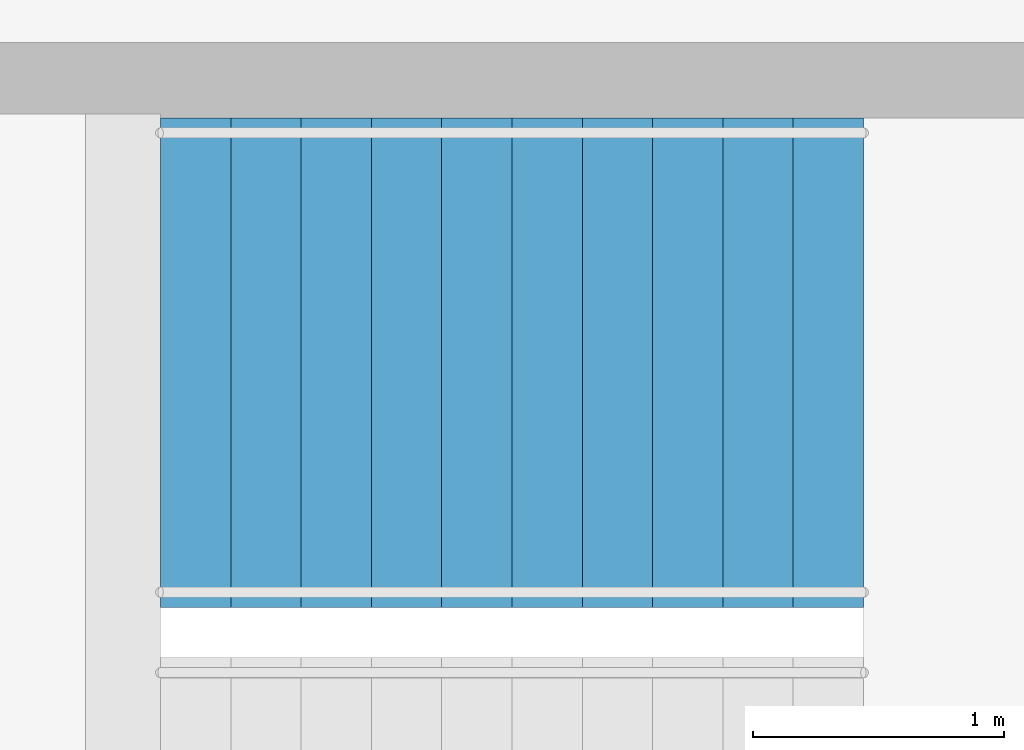
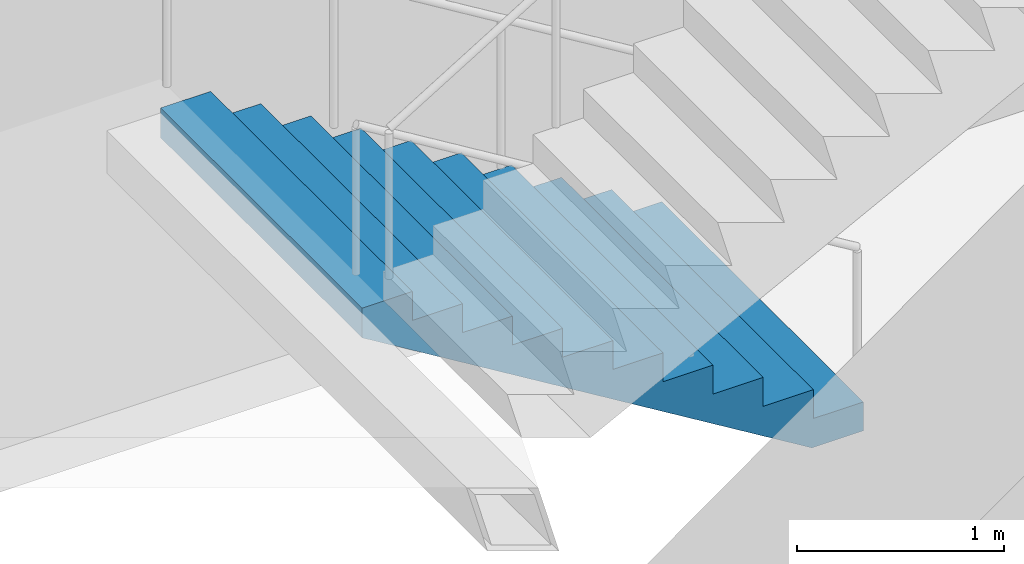
# One storey, part 22 of 23: 1 stair flight, 1 element without a shape of its own.
"""IFC4 building model written with IfcOpenShell, lengths in metres."""

from ifc_helpers import new_model, si_unit, direction, frame, origin, place, context, subcontext, project, spatial, triangles, material, type_object, element, aggregate, save


model = new_model("IFC4")

# Units and contexts
model_context = context("Model", 3, precision=1e-05, world=origin(), true_north=direction((0.0, 1.0)))
body_context = subcontext(model_context, "Body", "Model", "MODEL_VIEW")
ifc_project = project(units=[si_unit("LENGTHUNIT", "METRE"), si_unit("AREAUNIT", "SQUARE_METRE"), si_unit("VOLUMEUNIT", "CUBIC_METRE"), si_unit("PLANEANGLEUNIT", "RADIAN"), si_unit("MASSUNIT", "GRAM", prefix="KILO")], contexts=[model_context])

# Site, building, storey
site_placement = place(None, origin())
site = spatial("IfcSite", under=ifc_project, at=site_placement, CompositionType="ELEMENT")
building_placement = place(site_placement, origin())
building = spatial("IfcBuilding", under=site, at=building_placement, Name="Orbita Commons", CompositionType="ELEMENT")
storey_placement = place(building_placement, frame((0.0, 0.0, 212.800048828125)))
storey = spatial("IfcBuildingStorey", under=building, at=storey_placement, Name="L52", CompositionType="ELEMENT", Elevation=212.800048828125)

# Stair, stair flight
ifc_material_1 = material(Name="Precast concrete C40/50", Category="concrete")
stair_type = type_object("IfcStairType", Name="Exit stair S2 2 flights 11 risers 170", PredefinedType="HALF_TURN_STAIR", material=ifc_material_1)
stair_placement = place(storey_placement, origin())
stair = element("IfcStair", 1, at=stair_placement, inside=storey, type_object=stair_type, Name="Exit stair S2 L52", PredefinedType="HALF_TURN_STAIR")
ifc_material_2 = material(Name="Precast concrete C40/50", Category="concrete")
stair_flight_type = type_object("IfcStairFlightType", Name="Stair flight 11 risers 170 x 280", PredefinedType="STRAIGHT", material=ifc_material_2)
stair_flight_placement = place(storey_placement, frame((63.550048828125, 29.27490234375, 0.0), z_axis=(0.0, 0.0, 1.0), x_axis=(-1.0, 0.0, 0.0)))
stair_flight = element("IfcStairFlight", 2, at=stair_flight_placement, type_object=stair_flight_type, Name="S2 flight 1", NumberOfRisers=11, NumberOfTreads=10, PredefinedType="STRAIGHT", RiserHeight=0.170454545, TreadLength=0.28, context=body_context, shape_type="Tessellation", body=[
    triangles([(0.0, 0.974976, 0.0), (0.0, 0.974976, 0.021307), (0.0, 0.81248, 0.021307), (0.0, 0.81248, 0.0), (0.0, 0.649984, 0.021307), (0.0, 0.649984, 0.0), (0.0, 0.487488, 0.021307), (0.0, 0.487488, 0.0), (0.0, 0.324992, 0.021307), (0.0, 0.324992, 0.0), (0.0, 0.162496, 0.021307), (0.0, 0.162496, 0.0), (0.0, 0.0, 0.021307), (0.0, 0.0, 0.0), (0.0, -0.162496, 0.021307), (0.0, -0.162496, 0.0), (0.0, -0.324992, 0.021307), (0.0, -0.324992, 0.0), (0.0, -0.487488, 0.021307), (0.0, -0.487488, 0.0), (0.0, -0.649984, 0.021307), (0.0, -0.649984, 0.0), (0.0, -0.81248, 0.021307), (0.0, -0.81248, 0.0), (0.0, -0.974976, 0.021307), (0.0, -0.974976, 0.0), (0.0, 0.974976, 0.042614), (0.0, 0.81248, 0.042614), (0.0, 0.649984, 0.042614), (0.0, 0.487488, 0.042614), (0.0, 0.324992, 0.042614), (0.0, 0.162496, 0.042614), (0.0, 0.0, 0.042614), (0.0, -0.162496, 0.042614), (0.0, -0.324992, 0.042614), (0.0, -0.487488, 0.042614), (0.0, -0.649984, 0.042614), (0.0, -0.81248, 0.042614), (0.0, -0.974976, 0.042614), (0.0, 0.974976, 0.06392), (0.0, 0.81248, 0.06392), (0.0, 0.649984, 0.06392), (0.0, 0.487488, 0.06392), (0.0, 0.324992, 0.06392), (0.0, 0.162496, 0.06392), (0.0, 0.0, 0.06392), (0.0, -0.162496, 0.06392), (0.0, -0.324992, 0.06392), (0.0, -0.487488, 0.06392), (0.0, -0.649984, 0.06392), (0.0, -0.81248, 0.06392), (0.0, -0.974976, 0.06392), (0.0, 0.974976, 0.085227), (0.0, 0.81248, 0.085227), (0.0, 0.649984, 0.085227), (0.0, 0.487488, 0.085227), (0.0, 0.324992, 0.085227), (0.0, 0.162496, 0.085227), (0.0, 0.0, 0.085227), (0.0, -0.162496, 0.085227), (0.0, -0.324992, 0.085227), (0.0, -0.487488, 0.085227), (0.0, -0.649984, 0.085227), (0.0, -0.81248, 0.085227), (0.0, -0.974976, 0.085227), (0.0, 0.974976, 0.106534), (0.0, 0.81248, 0.106534), (0.0, 0.649984, 0.106534), (0.0, 0.487488, 0.106534), (0.0, 0.324992, 0.106534), (0.0, 0.162496, 0.106534), (0.0, 0.0, 0.106534), (0.0, -0.162496, 0.106534), (0.0, -0.324992, 0.106534), (0.0, -0.487488, 0.106534), (0.0, -0.649984, 0.106534), (0.0, -0.81248, 0.106534), (0.0, -0.974976, 0.106534), (0.0, 0.974976, 0.127841), (0.0, 0.81248, 0.127841), (0.0, 0.649984, 0.127841), (0.0, 0.487488, 0.127841), (0.0, 0.324992, 0.127841), (0.0, 0.162496, 0.127841), (0.0, 0.0, 0.127841), (0.0, -0.162496, 0.127841), (0.0, -0.324992, 0.127841), (0.0, -0.487488, 0.127841), (0.0, -0.649984, 0.127841), (0.0, -0.81248, 0.127841), (0.0, -0.974976, 0.127841), (0.0, 0.974976, 0.149148), (0.0, 0.81248, 0.149148), (0.0, 0.649984, 0.149148), (0.0, 0.487488, 0.149148), (0.0, 0.324992, 0.149148), (0.0, 0.162496, 0.149148), (0.0, 0.0, 0.149148), (0.0, -0.162496, 0.149148), (0.0, -0.324992, 0.149148), (0.0, -0.487488, 0.149148), (0.0, -0.649984, 0.149148), (0.0, -0.81248, 0.149148), (0.0, -0.974976, 0.149148), (0.0, 0.974976, 0.170455), (0.0, 0.81248, 0.170455), (0.0, 0.649984, 0.170455), (0.0, 0.487488, 0.170455), (0.0, 0.324992, 0.170455), (0.0, 0.162496, 0.170455), (0.0, 0.0, 0.170455), (0.0, -0.162496, 0.170455), (0.0, -0.324992, 0.170455), (0.0, -0.487488, 0.170455), (0.0, -0.649984, 0.170455), (0.0, -0.81248, 0.170455), (0.0, -0.974976, 0.170455), (0.28, 0.974976, 0.170455), (0.28, 0.81248, 0.170455), (0.28, 0.649984, 0.170455), (0.28, 0.487488, 0.170455), (0.28, 0.324992, 0.170455), (0.28, 0.162496, 0.170455), (0.28, 0.0, 0.170455), (0.28, -0.162496, 0.170455), (0.28, -0.324992, 0.170455), (0.28, -0.487488, 0.170455), (0.28, -0.649984, 0.170455), (0.28, -0.81248, 0.170455), (0.28, -0.974976, 0.170455), (0.28, 0.974976, 0.340909), (0.28, 0.81248, 0.340909), (0.28, 0.649984, 0.340909), (0.28, 0.487488, 0.340909), (0.28, 0.324992, 0.340909), (0.28, 0.162496, 0.340909), (0.28, 0.0, 0.340909), (0.28, -0.162496, 0.340909), (0.28, -0.324992, 0.340909), (0.28, -0.487488, 0.340909), (0.28, -0.649984, 0.340909), (0.28, -0.81248, 0.340909), (0.28, -0.974976, 0.340909), (0.56, 0.974976, 0.340909), (0.56, 0.81248, 0.340909), (0.56, 0.649984, 0.340909), (0.56, 0.487488, 0.340909), (0.56, 0.324992, 0.340909), (0.56, 0.162496, 0.340909), (0.56, 0.0, 0.340909), (0.56, -0.162496, 0.340909), (0.56, -0.324992, 0.340909), (0.56, -0.487488, 0.340909), (0.56, -0.649984, 0.340909), (0.56, -0.81248, 0.340909), (0.56, -0.974976, 0.340909), (0.56, 0.974976, 0.511364), (0.56, 0.81248, 0.511364), (0.56, 0.649984, 0.511364), (0.56, 0.487488, 0.511364), (0.56, 0.324992, 0.511364), (0.56, 0.162496, 0.511364), (0.56, 0.0, 0.511364), (0.56, -0.162496, 0.511364), (0.56, -0.324992, 0.511364), (0.56, -0.487488, 0.511364), (0.56, -0.649984, 0.511364), (0.56, -0.81248, 0.511364), (0.56, -0.974976, 0.511364), (0.84, 0.974976, 0.511364), (0.84, 0.81248, 0.511364), (0.84, 0.649984, 0.511364), (0.84, 0.487488, 0.511364), (0.84, 0.324992, 0.511364), (0.84, 0.162496, 0.511364), (0.84, 0.0, 0.511364), (0.84, -0.162496, 0.511364), (0.84, -0.324992, 0.511364), (0.84, -0.487488, 0.511364), (0.84, -0.649984, 0.511364), (0.84, -0.81248, 0.511364), (0.84, -0.974976, 0.511364), (0.84, 0.974976, 0.681818), (0.84, 0.81248, 0.681818), (0.84, 0.649984, 0.681818), (0.84, 0.487488, 0.681818), (0.84, 0.324992, 0.681818), (0.84, 0.162496, 0.681818), (0.84, 0.0, 0.681818), (0.84, -0.162496, 0.681818), (0.84, -0.324992, 0.681818), (0.84, -0.487488, 0.681818), (0.84, -0.649984, 0.681818), (0.84, -0.81248, 0.681818), (0.84, -0.974976, 0.681818), (1.12, 0.974976, 0.681818), (1.12, 0.81248, 0.681818), (1.12, 0.649984, 0.681818), (1.12, 0.487488, 0.681818), (1.12, 0.324992, 0.681818), (1.12, 0.162496, 0.681818), (1.12, 0.0, 0.681818), (1.12, -0.162496, 0.681818), (1.12, -0.324992, 0.681818), (1.12, -0.487488, 0.681818), (1.12, -0.649984, 0.681818), (1.12, -0.81248, 0.681818), (1.12, -0.974976, 0.681818), (1.12, 0.974976, 0.852273), (1.12, 0.81248, 0.852273), (1.12, 0.649984, 0.852273), (1.12, 0.487488, 0.852273), (1.12, 0.324992, 0.852273), (1.12, 0.162496, 0.852273), (1.12, 0.0, 0.852273), (1.12, -0.162496, 0.852273), (1.12, -0.324992, 0.852273), (1.12, -0.487488, 0.852273), (1.12, -0.649984, 0.852273), (1.12, -0.81248, 0.852273), (1.12, -0.974976, 0.852273), (1.4, 0.974976, 0.852273), (1.4, 0.81248, 0.852273), (1.4, 0.649984, 0.852273), (1.4, 0.487488, 0.852273), (1.4, 0.324992, 0.852273), (1.4, 0.162496, 0.852273), (1.4, 0.0, 0.852273), (1.4, -0.162496, 0.852273), (1.4, -0.324992, 0.852273), (1.4, -0.487488, 0.852273), (1.4, -0.649984, 0.852273), (1.4, -0.81248, 0.852273), (1.4, -0.974976, 0.852273), (1.4, 0.974976, 1.022727), (1.4, 0.81248, 1.022727), (1.4, 0.649984, 1.022727), (1.4, 0.487488, 1.022727), (1.4, 0.324992, 1.022727), (1.4, 0.162496, 1.022727), (1.4, 0.0, 1.022727), (1.4, -0.162496, 1.022727), (1.4, -0.324992, 1.022727), (1.4, -0.487488, 1.022727), (1.4, -0.649984, 1.022727), (1.4, -0.81248, 1.022727), (1.4, -0.974976, 1.022727), (1.68, 0.974976, 1.022727), (1.68, 0.81248, 1.022727), (1.68, 0.649984, 1.022727), (1.68, 0.487488, 1.022727), (1.68, 0.324992, 1.022727), (1.68, 0.162496, 1.022727), (1.68, 0.0, 1.022727), (1.68, -0.162496, 1.022727), (1.68, -0.324992, 1.022727), (1.68, -0.487488, 1.022727), (1.68, -0.649984, 1.022727), (1.68, -0.81248, 1.022727), (1.68, -0.974976, 1.022727), (1.68, 0.974976, 1.193182), (1.68, 0.81248, 1.193182), (1.68, 0.649984, 1.193182), (1.68, 0.487488, 1.193182), (1.68, 0.324992, 1.193182), (1.68, 0.162496, 1.193182), (1.68, 0.0, 1.193182), (1.68, -0.162496, 1.193182), (1.68, -0.324992, 1.193182), (1.68, -0.487488, 1.193182), (1.68, -0.649984, 1.193182), (1.68, -0.81248, 1.193182), (1.68, -0.974976, 1.193182), (1.96, 0.974976, 1.193182), (1.96, 0.81248, 1.193182), (1.96, 0.649984, 1.193182), (1.96, 0.487488, 1.193182), (1.96, 0.324992, 1.193182), (1.96, 0.162496, 1.193182), (1.96, 0.0, 1.193182), (1.96, -0.162496, 1.193182), (1.96, -0.324992, 1.193182), (1.96, -0.487488, 1.193182), (1.96, -0.649984, 1.193182), (1.96, -0.81248, 1.193182), (1.96, -0.974976, 1.193182), (1.96, 0.974976, 1.363636), (1.96, 0.81248, 1.363636), (1.96, 0.649984, 1.363636), (1.96, 0.487488, 1.363636), (1.96, 0.324992, 1.363636), (1.96, 0.162496, 1.363636), (1.96, 0.0, 1.363636), (1.96, -0.162496, 1.363636), (1.96, -0.324992, 1.363636), (1.96, -0.487488, 1.363636), (1.96, -0.649984, 1.363636), (1.96, -0.81248, 1.363636), (1.96, -0.974976, 1.363636), (2.24, 0.974976, 1.363636), (2.24, 0.81248, 1.363636), (2.24, 0.649984, 1.363636), (2.24, 0.487488, 1.363636), (2.24, 0.324992, 1.363636), (2.24, 0.162496, 1.363636), (2.24, 0.0, 1.363636), (2.24, -0.162496, 1.363636), (2.24, -0.324992, 1.363636), (2.24, -0.487488, 1.363636), (2.24, -0.649984, 1.363636), (2.24, -0.81248, 1.363636), (2.24, -0.974976, 1.363636), (2.24, 0.974976, 1.534091), (2.24, 0.81248, 1.534091), (2.24, 0.649984, 1.534091), (2.24, 0.487488, 1.534091), (2.24, 0.324992, 1.534091), (2.24, 0.162496, 1.534091), (2.24, 0.0, 1.534091), (2.24, -0.162496, 1.534091), (2.24, -0.324992, 1.534091), (2.24, -0.487488, 1.534091), (2.24, -0.649984, 1.534091), (2.24, -0.81248, 1.534091), (2.24, -0.974976, 1.534091), (2.52, 0.974976, 1.534091), (2.52, 0.81248, 1.534091), (2.52, 0.649984, 1.534091), (2.52, 0.487488, 1.534091), (2.52, 0.324992, 1.534091), (2.52, 0.162496, 1.534091), (2.52, 0.0, 1.534091), (2.52, -0.162496, 1.534091), (2.52, -0.324992, 1.534091), (2.52, -0.487488, 1.534091), (2.52, -0.649984, 1.534091), (2.52, -0.81248, 1.534091), (2.52, -0.974976, 1.534091), (2.52, 0.974976, 1.704545), (2.52, 0.81248, 1.704545), (2.52, 0.649984, 1.704545), (2.52, 0.487488, 1.704545), (2.52, 0.324992, 1.704545), (2.52, 0.162496, 1.704545), (2.52, 0.0, 1.704545), (2.52, -0.162496, 1.704545), (2.52, -0.324992, 1.704545), (2.52, -0.487488, 1.704545), (2.52, -0.649984, 1.704545), (2.52, -0.81248, 1.704545), (2.52, -0.974976, 1.704545), (2.8, 0.974976, 1.704545), (2.8, 0.81248, 1.704545), (2.8, 0.649984, 1.704545), (2.8, 0.487488, 1.704545), (2.8, 0.324992, 1.704545), (2.8, 0.162496, 1.704545), (2.8, 0.0, 1.704545), (2.8, -0.162496, 1.704545), (2.8, -0.324992, 1.704545), (2.8, -0.487488, 1.704545), (2.8, -0.649984, 1.704545), (2.8, -0.81248, 1.704545), (2.8, -0.974976, 1.704545), (2.8, 0.974976, 1.682609), (2.8, 0.81248, 1.682609), (2.8, 0.649984, 1.682609), (2.8, 0.487488, 1.682609), (2.8, 0.324992, 1.682609), (2.8, 0.162496, 1.682609), (2.8, 0.0, 1.682609), (2.8, -0.162496, 1.682609), (2.8, -0.324992, 1.682609), (2.8, -0.487488, 1.682609), (2.8, -0.649984, 1.682609), (2.8, -0.81248, 1.682609), (2.8, -0.974976, 1.682609), (2.8, 0.974976, 1.660672), (2.8, 0.81248, 1.660672), (2.8, 0.649984, 1.660672), (2.8, 0.487488, 1.660672), (2.8, 0.324992, 1.660672), (2.8, 0.162496, 1.660672), (2.8, 0.0, 1.660672), (2.8, -0.162496, 1.660672), (2.8, -0.324992, 1.660672), (2.8, -0.487488, 1.660672), (2.8, -0.649984, 1.660672), (2.8, -0.81248, 1.660672), (2.8, -0.974976, 1.660672), (2.8, 0.974976, 1.638735), (2.8, 0.81248, 1.638735), (2.8, 0.649984, 1.638735), (2.8, 0.487488, 1.638735), (2.8, 0.324992, 1.638735), (2.8, 0.162496, 1.638735), (2.8, 0.0, 1.638735), (2.8, -0.162496, 1.638735), (2.8, -0.324992, 1.638735), (2.8, -0.487488, 1.638735), (2.8, -0.649984, 1.638735), (2.8, -0.81248, 1.638735), (2.8, -0.974976, 1.638735), (2.8, 0.974976, 1.616798), (2.8, 0.81248, 1.616798), (2.8, 0.649984, 1.616798), (2.8, 0.487488, 1.616798), (2.8, 0.324992, 1.616798), (2.8, 0.162496, 1.616798), (2.8, 0.0, 1.616798), (2.8, -0.162496, 1.616798), (2.8, -0.324992, 1.616798), (2.8, -0.487488, 1.616798), (2.8, -0.649984, 1.616798), (2.8, -0.81248, 1.616798), (2.8, -0.974976, 1.616798), (2.8, 0.974976, 1.594861), (2.8, 0.81248, 1.594861), (2.8, 0.649984, 1.594861), (2.8, 0.487488, 1.594861), (2.8, 0.324992, 1.594861), (2.8, 0.162496, 1.594861), (2.8, 0.0, 1.594861), (2.8, -0.162496, 1.594861), (2.8, -0.324992, 1.594861), (2.8, -0.487488, 1.594861), (2.8, -0.649984, 1.594861), (2.8, -0.81248, 1.594861), (2.8, -0.974976, 1.594861), (2.8, 0.974976, 1.572925), (2.8, 0.81248, 1.572925), (2.8, 0.649984, 1.572925), (2.8, 0.487488, 1.572925), (2.8, 0.324992, 1.572925), (2.8, 0.162496, 1.572925), (2.8, 0.0, 1.572925), (2.8, -0.162496, 1.572925), (2.8, -0.324992, 1.572925), (2.8, -0.487488, 1.572925), (2.8, -0.649984, 1.572925), (2.8, -0.81248, 1.572925), (2.8, -0.974976, 1.572925), (2.8, 0.974976, 1.550988), (2.8, 0.81248, 1.550988), (2.8, 0.649984, 1.550988), (2.8, 0.487488, 1.550988), (2.8, 0.324992, 1.550988), (2.8, 0.162496, 1.550988), (2.8, 0.0, 1.550988), (2.8, -0.162496, 1.550988), (2.8, -0.324992, 1.550988), (2.8, -0.487488, 1.550988), (2.8, -0.649984, 1.550988), (2.8, -0.81248, 1.550988), (2.8, -0.974976, 1.550988), (2.8, 0.974976, 1.529051), (2.8, 0.81248, 1.529051), (2.8, 0.649984, 1.529051), (2.8, 0.487488, 1.529051), (2.8, 0.324992, 1.529051), (2.8, 0.162496, 1.529051), (2.8, 0.0, 1.529051), (2.8, -0.162496, 1.529051), (2.8, -0.324992, 1.529051), (2.8, -0.487488, 1.529051), (2.8, -0.649984, 1.529051), (2.8, -0.81248, 1.529051), (2.8, -0.974976, 1.529051), (0.288279, 0.974976, 0.0), (0.288279, 0.81248, 0.0), (0.288279, 0.649984, 0.0), (0.288279, 0.487488, 0.0), (0.288279, 0.324992, 0.0), (0.288279, 0.162496, 0.0), (0.288279, 0.0, 0.0), (0.288279, -0.162496, 0.0), (0.288279, -0.324992, 0.0), (0.288279, -0.487488, 0.0), (0.288279, -0.649984, 0.0), (0.288279, -0.81248, 0.0), (0.288279, -0.974976, 0.0)], [[3, 2, 1], [4, 3, 1], [5, 3, 4], [6, 5, 4], [7, 5, 6], [8, 7, 6], [9, 7, 8], [10, 9, 8], [11, 9, 10], [12, 11, 10], [13, 11, 12], [14, 13, 12], [15, 13, 14], [16, 15, 14], [17, 15, 16], [18, 17, 16], [19, 17, 18], [20, 19, 18], [21, 19, 20], [22, 21, 20], [23, 21, 22], [24, 23, 22], [25, 23, 24], [26, 25, 24], [28, 27, 2], [3, 28, 2], [29, 28, 3], [5, 29, 3], [30, 29, 5], [7, 30, 5], [31, 30, 7], [9, 31, 7], [32, 31, 9], [11, 32, 9], [33, 32, 11], [13, 33, 11], [34, 33, 13], [15, 34, 13], [35, 34, 15], [17, 35, 15], [36, 35, 17], [19, 36, 17], [37, 36, 19], [21, 37, 19], [38, 37, 21], [23, 38, 21], [39, 38, 23], [25, 39, 23], [41, 40, 27], [28, 41, 27], [42, 41, 28], [29, 42, 28], [43, 42, 29], [30, 43, 29], [44, 43, 30], [31, 44, 30], [45, 44, 31], [32, 45, 31], [46, 45, 32], [33, 46, 32], [47, 46, 33], [34, 47, 33], [48, 47, 34], [35, 48, 34], [49, 48, 35], [36, 49, 35], [50, 49, 36], [37, 50, 36], [51, 50, 37], [38, 51, 37], [52, 51, 38], [39, 52, 38], [54, 53, 40], [41, 54, 40], [55, 54, 41], [42, 55, 41], [56, 55, 42], [43, 56, 42], [57, 56, 43], [44, 57, 43], [58, 57, 44], [45, 58, 44], [59, 58, 45], [46, 59, 45], [60, 59, 46], [47, 60, 46], [61, 60, 47], [48, 61, 47], [62, 61, 48], [49, 62, 48], [63, 62, 49], [50, 63, 49], [64, 63, 50], [51, 64, 50], [65, 64, 51], [52, 65, 51], [67, 66, 53], [54, 67, 53], [68, 67, 54], [55, 68, 54], [69, 68, 55], [56, 69, 55], [70, 69, 56], [57, 70, 56], [71, 70, 57], [58, 71, 57], [72, 71, 58], [59, 72, 58], [73, 72, 59], [60, 73, 59], [74, 73, 60], [61, 74, 60], [75, 74, 61], [62, 75, 61], [76, 75, 62], [63, 76, 62], [77, 76, 63], [64, 77, 63], [78, 77, 64], [65, 78, 64], [80, 79, 66], [67, 80, 66], [81, 80, 67], [68, 81, 67], [82, 81, 68], [69, 82, 68], [83, 82, 69], [70, 83, 69], [84, 83, 70], [71, 84, 70], [85, 84, 71], [72, 85, 71], [86, 85, 72], [73, 86, 72], [87, 86, 73], [74, 87, 73], [88, 87, 74], [75, 88, 74], [89, 88, 75], [76, 89, 75], [90, 89, 76], [77, 90, 76], [91, 90, 77], [78, 91, 77], [93, 92, 79], [80, 93, 79], [94, 93, 80], [81, 94, 80], [95, 94, 81], [82, 95, 81], [96, 95, 82], [83, 96, 82], [97, 96, 83], [84, 97, 83], [98, 97, 84], [85, 98, 84], [99, 98, 85], [86, 99, 85], [100, 99, 86], [87, 100, 86], [101, 100, 87], [88, 101, 87], [102, 101, 88], [89, 102, 88], [103, 102, 89], [90, 103, 89], [104, 103, 90], [91, 104, 90], [106, 105, 92], [93, 106, 92], [107, 106, 93], [94, 107, 93], [108, 107, 94], [95, 108, 94], [109, 108, 95], [96, 109, 95], [110, 109, 96], [97, 110, 96], [111, 110, 97], [98, 111, 97], [112, 111, 98], [99, 112, 98], [113, 112, 99], [100, 113, 99], [114, 113, 100], [101, 114, 100], [115, 114, 101], [102, 115, 101], [116, 115, 102], [103, 116, 102], [117, 116, 103], [104, 117, 103], [119, 118, 105], [106, 119, 105], [120, 119, 106], [107, 120, 106], [121, 120, 107], [108, 121, 107], [122, 121, 108], [109, 122, 108], [123, 122, 109], [110, 123, 109], [124, 123, 110], [111, 124, 110], [125, 124, 111], [112, 125, 111], [126, 125, 112], [113, 126, 112], [127, 126, 113], [114, 127, 113], [128, 127, 114], [115, 128, 114], [129, 128, 115], [116, 129, 115], [130, 129, 116], [117, 130, 116], [132, 131, 118], [119, 132, 118], [133, 132, 119], [120, 133, 119], [134, 133, 120], [121, 134, 120], [135, 134, 121], [122, 135, 121], [136, 135, 122], [123, 136, 122], [137, 136, 123], [124, 137, 123], [138, 137, 124], [125, 138, 124], [139, 138, 125], [126, 139, 125], [140, 139, 126], [127, 140, 126], [141, 140, 127], [128, 141, 127], [142, 141, 128], [129, 142, 128], [143, 142, 129], [130, 143, 129], [145, 144, 131], [132, 145, 131], [146, 145, 132], [133, 146, 132], [147, 146, 133], [134, 147, 133], [148, 147, 134], [135, 148, 134], [149, 148, 135], [136, 149, 135], [150, 149, 136], [137, 150, 136], [151, 150, 137], [138, 151, 137], [152, 151, 138], [139, 152, 138], [153, 152, 139], [140, 153, 139], [154, 153, 140], [141, 154, 140], [155, 154, 141], [142, 155, 141], [156, 155, 142], [143, 156, 142], [158, 157, 144], [145, 158, 144], [159, 158, 145], [146, 159, 145], [160, 159, 146], [147, 160, 146], [161, 160, 147], [148, 161, 147], [162, 161, 148], [149, 162, 148], [163, 162, 149], [150, 163, 149], [164, 163, 150], [151, 164, 150], [165, 164, 151], [152, 165, 151], [166, 165, 152], [153, 166, 152], [167, 166, 153], [154, 167, 153], [168, 167, 154], [155, 168, 154], [169, 168, 155], [156, 169, 155], [171, 170, 157], [158, 171, 157], [172, 171, 158], [159, 172, 158], [173, 172, 159], [160, 173, 159], [174, 173, 160], [161, 174, 160], [175, 174, 161], [162, 175, 161], [176, 175, 162], [163, 176, 162], [177, 176, 163], [164, 177, 163], [178, 177, 164], [165, 178, 164], [179, 178, 165], [166, 179, 165], [180, 179, 166], [167, 180, 166], [181, 180, 167], [168, 181, 167], [182, 181, 168], [169, 182, 168], [184, 183, 170], [171, 184, 170], [185, 184, 171], [172, 185, 171], [186, 185, 172], [173, 186, 172], [187, 186, 173], [174, 187, 173], [188, 187, 174], [175, 188, 174], [189, 188, 175], [176, 189, 175], [190, 189, 176], [177, 190, 176], [191, 190, 177], [178, 191, 177], [192, 191, 178], [179, 192, 178], [193, 192, 179], [180, 193, 179], [194, 193, 180], [181, 194, 180], [195, 194, 181], [182, 195, 181], [197, 196, 183], [184, 197, 183], [198, 197, 184], [185, 198, 184], [199, 198, 185], [186, 199, 185], [200, 199, 186], [187, 200, 186], [201, 200, 187], [188, 201, 187], [202, 201, 188], [189, 202, 188], [203, 202, 189], [190, 203, 189], [204, 203, 190], [191, 204, 190], [205, 204, 191], [192, 205, 191], [206, 205, 192], [193, 206, 192], [207, 206, 193], [194, 207, 193], [208, 207, 194], [195, 208, 194], [210, 209, 196], [197, 210, 196], [211, 210, 197], [198, 211, 197], [212, 211, 198], [199, 212, 198], [213, 212, 199], [200, 213, 199], [214, 213, 200], [201, 214, 200], [215, 214, 201], [202, 215, 201], [216, 215, 202], [203, 216, 202], [217, 216, 203], [204, 217, 203], [218, 217, 204], [205, 218, 204], [219, 218, 205], [206, 219, 205], [220, 219, 206], [207, 220, 206], [221, 220, 207], [208, 221, 207], [223, 222, 209], [210, 223, 209], [224, 223, 210], [211, 224, 210], [225, 224, 211], [212, 225, 211], [226, 225, 212], [213, 226, 212], [227, 226, 213], [214, 227, 213], [228, 227, 214], [215, 228, 214], [229, 228, 215], [216, 229, 215], [230, 229, 216], [217, 230, 216], [231, 230, 217], [218, 231, 217], [232, 231, 218], [219, 232, 218], [233, 232, 219], [220, 233, 219], [234, 233, 220], [221, 234, 220], [236, 235, 222], [223, 236, 222], [237, 236, 223], [224, 237, 223], [238, 237, 224], [225, 238, 224], [239, 238, 225], [226, 239, 225], [240, 239, 226], [227, 240, 226], [241, 240, 227], [228, 241, 227], [242, 241, 228], [229, 242, 228], [243, 242, 229], [230, 243, 229], [244, 243, 230], [231, 244, 230], [245, 244, 231], [232, 245, 231], [246, 245, 232], [233, 246, 232], [247, 246, 233], [234, 247, 233], [249, 248, 235], [236, 249, 235], [250, 249, 236], [237, 250, 236], [251, 250, 237], [238, 251, 237], [252, 251, 238], [239, 252, 238], [253, 252, 239], [240, 253, 239], [254, 253, 240], [241, 254, 240], [255, 254, 241], [242, 255, 241], [256, 255, 242], [243, 256, 242], [257, 256, 243], [244, 257, 243], [258, 257, 244], [245, 258, 244], [259, 258, 245], [246, 259, 245], [260, 259, 246], [247, 260, 246], [262, 261, 248], [249, 262, 248], [263, 262, 249], [250, 263, 249], [264, 263, 250], [251, 264, 250], [265, 264, 251], [252, 265, 251], [266, 265, 252], [253, 266, 252], [267, 266, 253], [254, 267, 253], [268, 267, 254], [255, 268, 254], [269, 268, 255], [256, 269, 255], [270, 269, 256], [257, 270, 256], [271, 270, 257], [258, 271, 257], [272, 271, 258], [259, 272, 258], [273, 272, 259], [260, 273, 259], [275, 274, 261], [262, 275, 261], [276, 275, 262], [263, 276, 262], [277, 276, 263], [264, 277, 263], [278, 277, 264], [265, 278, 264], [279, 278, 265], [266, 279, 265], [280, 279, 266], [267, 280, 266], [281, 280, 267], [268, 281, 267], [282, 281, 268], [269, 282, 268], [283, 282, 269], [270, 283, 269], [284, 283, 270], [271, 284, 270], [285, 284, 271], [272, 285, 271], [286, 285, 272], [273, 286, 272], [288, 287, 274], [275, 288, 274], [289, 288, 275], [276, 289, 275], [290, 289, 276], [277, 290, 276], [291, 290, 277], [278, 291, 277], [292, 291, 278], [279, 292, 278], [293, 292, 279], [280, 293, 279], [294, 293, 280], [281, 294, 280], [295, 294, 281], [282, 295, 281], [296, 295, 282], [283, 296, 282], [297, 296, 283], [284, 297, 283], [298, 297, 284], [285, 298, 284], [299, 298, 285], [286, 299, 285], [301, 300, 287], [288, 301, 287], [302, 301, 288], [289, 302, 288], [303, 302, 289], [290, 303, 289], [304, 303, 290], [291, 304, 290], [305, 304, 291], [292, 305, 291], [306, 305, 292], [293, 306, 292], [307, 306, 293], [294, 307, 293], [308, 307, 294], [295, 308, 294], [309, 308, 295], [296, 309, 295], [310, 309, 296], [297, 310, 296], [311, 310, 297], [298, 311, 297], [312, 311, 298], [299, 312, 298], [314, 313, 300], [301, 314, 300], [315, 314, 301], [302, 315, 301], [316, 315, 302], [303, 316, 302], [317, 316, 303], [304, 317, 303], [318, 317, 304], [305, 318, 304], [319, 318, 305], [306, 319, 305], [320, 319, 306], [307, 320, 306], [321, 320, 307], [308, 321, 307], [322, 321, 308], [309, 322, 308], [323, 322, 309], [310, 323, 309], [324, 323, 310], [311, 324, 310], [325, 324, 311], [312, 325, 311], [327, 326, 313], [314, 327, 313], [328, 327, 314], [315, 328, 314], [329, 328, 315], [316, 329, 315], [330, 329, 316], [317, 330, 316], [331, 330, 317], [318, 331, 317], [332, 331, 318], [319, 332, 318], [333, 332, 319], [320, 333, 319], [334, 333, 320], [321, 334, 320], [335, 334, 321], [322, 335, 321], [336, 335, 322], [323, 336, 322], [337, 336, 323], [324, 337, 323], [338, 337, 324], [325, 338, 324], [340, 339, 326], [327, 340, 326], [341, 340, 327], [328, 341, 327], [342, 341, 328], [329, 342, 328], [343, 342, 329], [330, 343, 329], [344, 343, 330], [331, 344, 330], [345, 344, 331], [332, 345, 331], [346, 345, 332], [333, 346, 332], [347, 346, 333], [334, 347, 333], [348, 347, 334], [335, 348, 334], [349, 348, 335], [336, 349, 335], [350, 349, 336], [337, 350, 336], [351, 350, 337], [338, 351, 337], [353, 352, 339], [340, 353, 339], [354, 353, 340], [341, 354, 340], [355, 354, 341], [342, 355, 341], [356, 355, 342], [343, 356, 342], [357, 356, 343], [344, 357, 343], [358, 357, 344], [345, 358, 344], [359, 358, 345], [346, 359, 345], [360, 359, 346], [347, 360, 346], [361, 360, 347], [348, 361, 347], [362, 361, 348], [349, 362, 348], [363, 362, 349], [350, 363, 349], [364, 363, 350], [351, 364, 350], [366, 365, 352], [353, 366, 352], [367, 366, 353], [354, 367, 353], [368, 367, 354], [355, 368, 354], [369, 368, 355], [356, 369, 355], [370, 369, 356], [357, 370, 356], [371, 370, 357], [358, 371, 357], [372, 371, 358], [359, 372, 358], [373, 372, 359], [360, 373, 359], [374, 373, 360], [361, 374, 360], [375, 374, 361], [362, 375, 361], [376, 375, 362], [363, 376, 362], [377, 376, 363], [364, 377, 363], [379, 378, 365], [366, 379, 365], [380, 379, 366], [367, 380, 366], [381, 380, 367], [368, 381, 367], [382, 381, 368], [369, 382, 368], [383, 382, 369], [370, 383, 369], [384, 383, 370], [371, 384, 370], [385, 384, 371], [372, 385, 371], [386, 385, 372], [373, 386, 372], [387, 386, 373], [374, 387, 373], [388, 387, 374], [375, 388, 374], [389, 388, 375], [376, 389, 375], [390, 389, 376], [377, 390, 376], [392, 391, 378], [379, 392, 378], [393, 392, 379], [380, 393, 379], [394, 393, 380], [381, 394, 380], [395, 394, 381], [382, 395, 381], [396, 395, 382], [383, 396, 382], [397, 396, 383], [384, 397, 383], [398, 397, 384], [385, 398, 384], [399, 398, 385], [386, 399, 385], [400, 399, 386], [387, 400, 386], [401, 400, 387], [388, 401, 387], [402, 401, 388], [389, 402, 388], [403, 402, 389], [390, 403, 389], [405, 404, 391], [392, 405, 391], [406, 405, 392], [393, 406, 392], [407, 406, 393], [394, 407, 393], [408, 407, 394], [395, 408, 394], [409, 408, 395], [396, 409, 395], [410, 409, 396], [397, 410, 396], [411, 410, 397], [398, 411, 397], [412, 411, 398], [399, 412, 398], [413, 412, 399], [400, 413, 399], [414, 413, 400], [401, 414, 400], [415, 414, 401], [402, 415, 401], [416, 415, 402], [403, 416, 402], [418, 417, 404], [405, 418, 404], [419, 418, 405], [406, 419, 405], [420, 419, 406], [407, 420, 406], [421, 420, 407], [408, 421, 407], [422, 421, 408], [409, 422, 408], [423, 422, 409], [410, 423, 409], [424, 423, 410], [411, 424, 410], [425, 424, 411], [412, 425, 411], [426, 425, 412], [413, 426, 412], [427, 426, 413], [414, 427, 413], [428, 427, 414], [415, 428, 414], [429, 428, 415], [416, 429, 415], [431, 430, 417], [418, 431, 417], [432, 431, 418], [419, 432, 418], [433, 432, 419], [420, 433, 419], [434, 433, 420], [421, 434, 420], [435, 434, 421], [422, 435, 421], [436, 435, 422], [423, 436, 422], [437, 436, 423], [424, 437, 423], [438, 437, 424], [425, 438, 424], [439, 438, 425], [426, 439, 425], [440, 439, 426], [427, 440, 426], [441, 440, 427], [428, 441, 427], [442, 441, 428], [429, 442, 428], [444, 443, 430], [431, 444, 430], [445, 444, 431], [432, 445, 431], [446, 445, 432], [433, 446, 432], [447, 446, 433], [434, 447, 433], [448, 447, 434], [435, 448, 434], [449, 448, 435], [436, 449, 435], [450, 449, 436], [437, 450, 436], [451, 450, 437], [438, 451, 437], [452, 451, 438], [439, 452, 438], [453, 452, 439], [440, 453, 439], [454, 453, 440], [441, 454, 440], [455, 454, 441], [442, 455, 441], [457, 456, 443], [444, 457, 443], [458, 457, 444], [445, 458, 444], [459, 458, 445], [446, 459, 445], [460, 459, 446], [447, 460, 446], [461, 460, 447], [448, 461, 447], [462, 461, 448], [449, 462, 448], [463, 462, 449], [450, 463, 449], [464, 463, 450], [451, 464, 450], [465, 464, 451], [452, 465, 451], [466, 465, 452], [453, 466, 452], [467, 466, 453], [454, 467, 453], [468, 467, 454], [455, 468, 454], [470, 469, 456], [457, 470, 456], [471, 470, 457], [458, 471, 457], [472, 471, 458], [459, 472, 458], [473, 472, 459], [460, 473, 459], [474, 473, 460], [461, 474, 460], [475, 474, 461], [462, 475, 461], [476, 475, 462], [463, 476, 462], [477, 476, 463], [464, 477, 463], [478, 477, 464], [465, 478, 464], [479, 478, 465], [466, 479, 465], [480, 479, 466], [467, 480, 466], [481, 480, 467], [468, 481, 467], [4, 1, 469], [470, 4, 469], [6, 4, 470], [471, 6, 470], [8, 6, 471], [472, 8, 471], [10, 8, 472], [473, 10, 472], [12, 10, 473], [474, 12, 473], [14, 12, 474], [475, 14, 474], [16, 14, 475], [476, 16, 475], [18, 16, 476], [477, 18, 476], [20, 18, 477], [478, 20, 477], [22, 20, 478], [479, 22, 478], [24, 22, 479], [480, 24, 479], [26, 24, 480], [481, 26, 480], [456, 469, 1], [26, 481, 468], [443, 456, 1], [26, 468, 455], [430, 443, 1], [26, 455, 442], [417, 430, 1], [26, 442, 429], [404, 417, 1], [26, 429, 416], [391, 404, 1], [26, 416, 403], [378, 391, 1], [26, 403, 390], [365, 378, 1], [26, 390, 377], [339, 352, 365], [377, 364, 351], [326, 339, 365], [377, 351, 338], [300, 313, 326], [338, 325, 312], [300, 326, 365], [377, 338, 312], [274, 287, 300], [312, 299, 286], [274, 300, 365], [377, 312, 286], [248, 261, 274], [286, 273, 260], [248, 274, 365], [377, 286, 260], [222, 235, 248], [260, 247, 234], [222, 248, 365], [377, 260, 234], [196, 209, 222], [234, 221, 208], [196, 222, 365], [377, 234, 208], [170, 183, 196], [208, 195, 182], [170, 196, 365], [377, 208, 182], [144, 157, 170], [182, 169, 156], [144, 170, 365], [377, 182, 156], [118, 131, 144], [156, 143, 130], [118, 144, 365], [377, 156, 130], [118, 365, 1], [26, 377, 130], [92, 105, 118], [130, 117, 104], [79, 92, 118], [130, 104, 91], [66, 79, 118], [130, 91, 78], [53, 66, 118], [130, 78, 65], [40, 53, 118], [130, 65, 52], [27, 40, 118], [130, 52, 39], [2, 27, 118], [130, 39, 25], [1, 2, 118], [130, 25, 26]], closed=True),
])
aggregate(stair, [stair_flight])

save(model, "model.ifc")
